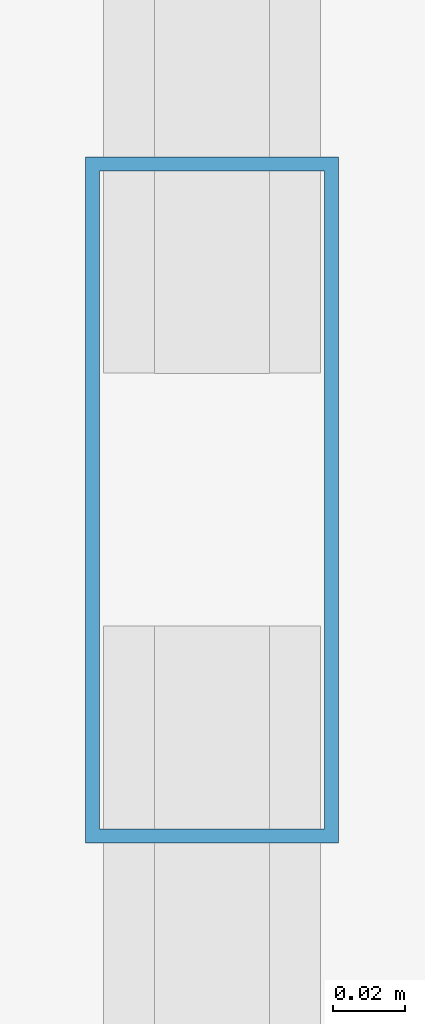
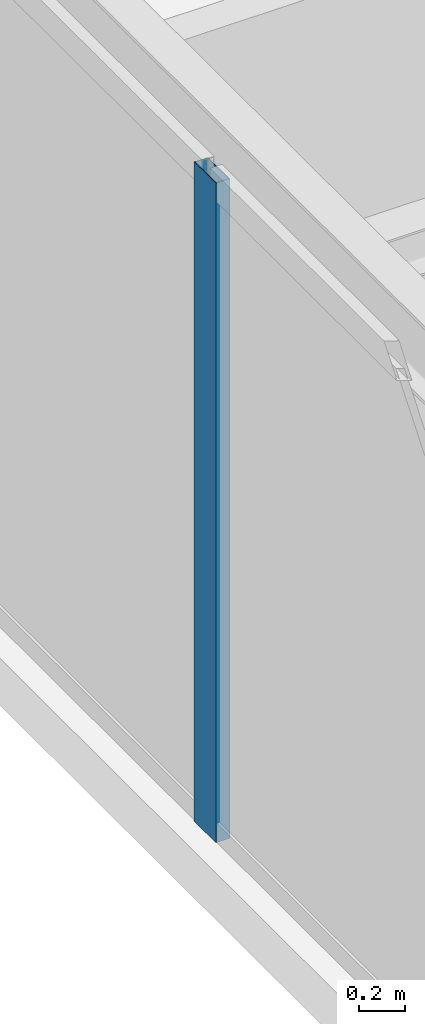
# One storey, part 10 of 31: 1 member, 1 element without a shape of its own.
"""IFC4 building model written with IfcOpenShell, lengths in metres."""

from ifc_helpers import new_model, si_unit, direction, frame, origin, origin_2d, place, context, subcontext, project, spatial, hollow_rectangle, extrude, source, transform, mapped, material, layer, layer_set, material_profile, profile_set, type_object, type_shapes, element, aggregate, save


model = new_model("IFC4")

# Units and contexts
model_context = context("Model", 3, precision=1e-05, world=origin(), true_north=direction((0.0, 1.0)))
body_context = subcontext(model_context, "Body", "Model", "MODEL_VIEW")
ifc_project = project(units=[si_unit("LENGTHUNIT", "METRE"), si_unit("AREAUNIT", "SQUARE_METRE"), si_unit("VOLUMEUNIT", "CUBIC_METRE"), si_unit("PLANEANGLEUNIT", "RADIAN"), si_unit("MASSUNIT", "GRAM", prefix="KILO")], contexts=[model_context])

# Site, building, storey
site_placement = place(None, origin())
site = spatial("IfcSite", under=ifc_project, at=site_placement, CompositionType="ELEMENT")
building_placement = place(site_placement, origin())
building = spatial("IfcBuilding", under=site, at=building_placement, Name="Varnel Quay Broadcast Tower", CompositionType="ELEMENT")
storey_placement = place(building_placement, frame((0.0, 0.0, 94.60009765625)))
storey = spatial("IfcBuildingStorey", under=building, at=storey_placement, Name="L22", CompositionType="ELEMENT", Elevation=94.60009765625)

# Curtain wall, member
ifc_material = material(Name="Anodised Bronze Aluminium 6063-T6", Category="aluminium")
ifc_layer = layer(ifc_material, 0.18994140625, Name="Anodised Bronze Aluminium 6063-T6")
ifc_layer_set = layer_set([ifc_layer], Name="Anodised Bronze Aluminium 6063-T6")
curtain_wall_type = type_object("IfcCurtainWallType", Name="CW_LowerTower", PredefinedType="NOTDEFINED", material=ifc_layer_set)
curtain_wall_placement = place(storey_placement, origin())
curtain_wall = element("IfcCurtainWall", 1, at=curtain_wall_placement, inside=storey, type_object=curtain_wall_type, Name="L22 West Unitised Curtain Wall", PredefinedType="NOTDEFINED")
ifc_material_profile = material_profile(ifc_material, hollow_rectangle(XDim=0.070068359375, YDim=0.18994140625, WallThickness=0.00390625, at=origin_2d()), Name="ALU70X190X4")
ifc_profile_set = profile_set([ifc_material_profile], Name="Anodised Bronze Aluminium 6063-T6")
member_type = type_object("IfcMemberType", Name="Mull_CWS-02", PredefinedType="MULLION", material=ifc_profile_set)
shared_shape = source(origin(), body_context, "Body", "SweptSolid", [
    extrude(hollow_rectangle(XDim=0.070068359375, YDim=0.18994140625, WallThickness=0.00390625, at=origin_2d()), origin(), (0.0, 0.0, 1.0), 3.52001953125),
])
type_shapes(member_type, [shared_shape])
member_placement = place(storey_placement, frame((4.64990234375, 31.39990234375, 0.0), z_axis=(0.0, 0.0, 1.0), x_axis=(-1.0, 0.0, 0.0)))
member = element("IfcMember", 2, at=member_placement, type_object=member_type, Name="CWS-02 mullion 3", PredefinedType="MULLION", context=body_context, shape_type="MappedRepresentation", body=[
    mapped(shared_shape, transform((0.0, 0.0, 0.0), x_axis=(1.0, 0.0, 0.0), y_axis=(0.0, 1.0, 0.0), z_axis=(0.0, 0.0, 1.0), scale=1.0)),
])
aggregate(curtain_wall, [member])

save(model, "model.ifc")
